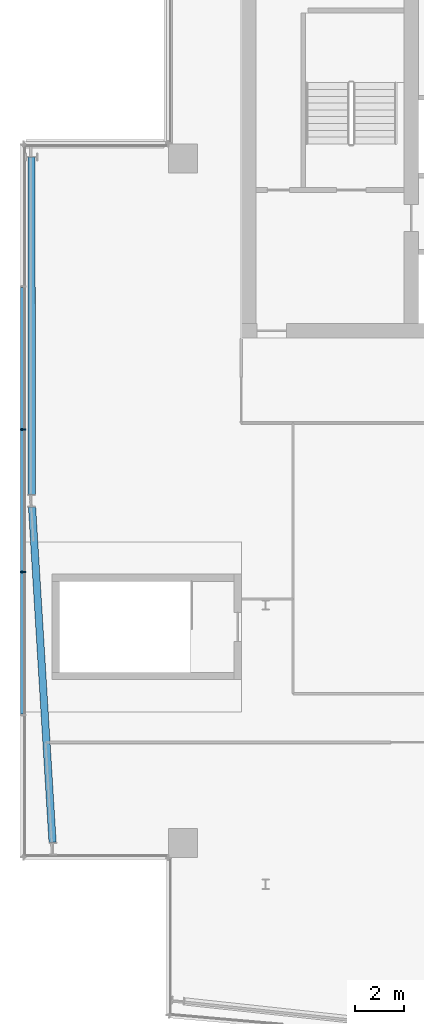
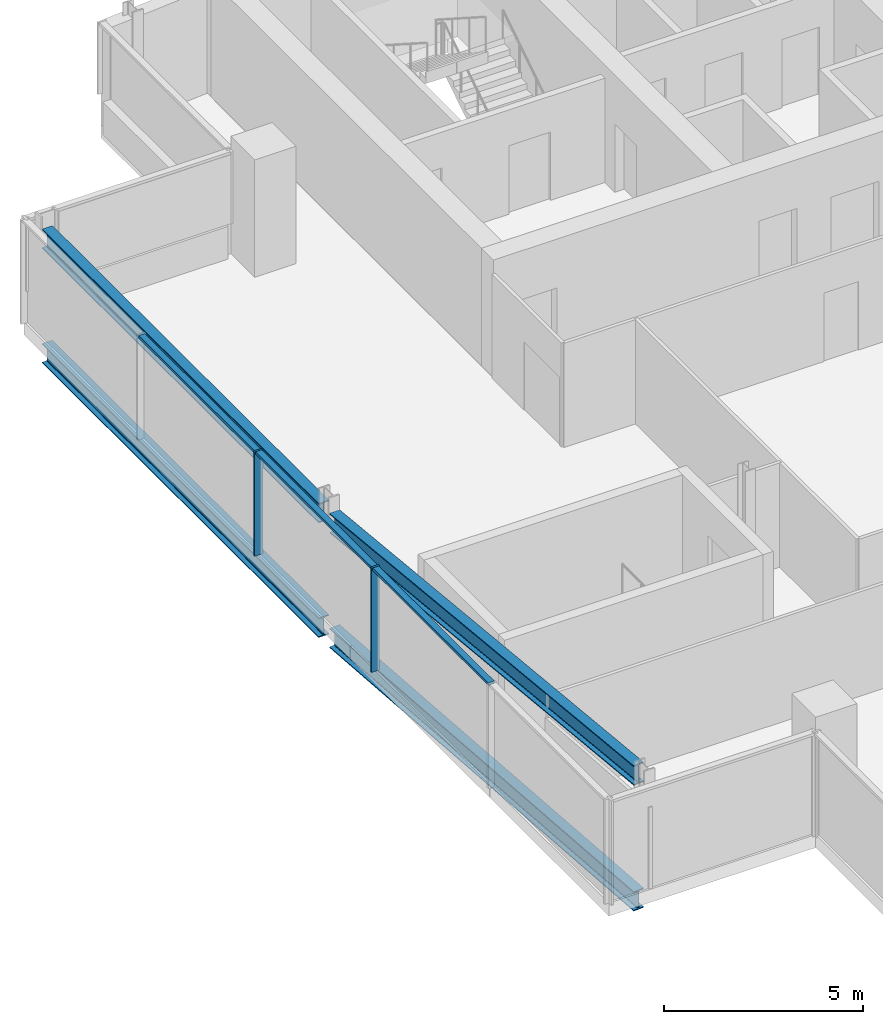
# One storey, part 6 of 19: 5 members, 4 beams, 1 element without a shape of its own.
"""IFC4 building model written with IfcOpenShell, lengths in metres."""

from ifc_helpers import new_model, si_unit, direction, frame, origin, origin_2d, place, context, subcontext, project, spatial, rectangle, i_section, extrude, material, material_profile, profile_set, type_object, element, aggregate, save


model = new_model("IFC4")

# Units and contexts
model_context = context("Model", 3, precision=1e-05, world=origin(), true_north=direction((0.0, 1.0)))
body_context = subcontext(model_context, "Body", "Model", "MODEL_VIEW")
ifc_project = project(units=[si_unit("LENGTHUNIT", "METRE"), si_unit("AREAUNIT", "SQUARE_METRE"), si_unit("VOLUMEUNIT", "CUBIC_METRE"), si_unit("PLANEANGLEUNIT", "RADIAN"), si_unit("MASSUNIT", "GRAM", prefix="KILO")], contexts=[model_context])

# Site, building, storey
site_placement = place(None, origin())
site = spatial("IfcSite", under=ifc_project, at=site_placement, CompositionType="ELEMENT")
building_placement = place(site_placement, origin())
building = spatial("IfcBuilding", under=site, at=building_placement, Name="Wharfspan Tower", CompositionType="ELEMENT")
storey_placement = place(building_placement, frame((0.0, 0.0, 257.5)))
storey = spatial("IfcBuildingStorey", under=building, at=storey_placement, Name="L65", CompositionType="ELEMENT", Elevation=257.5)

# Beams
ifc_material_1 = material(Name="Steel S355J2", Category="steel")
ifc_material_profile_1 = material_profile(ifc_material_1, i_section(OverallWidth=0.300049, OverallDepth=0.600098, WebThickness=0.015381, FlangeThickness=0.030029, FilletRadius=0.0271, at=origin_2d()))
ifc_profile_set_1 = profile_set([ifc_material_profile_1], Name="Steel S355J2")
beam_type_1 = type_object("IfcBeamType", Name="Edge beam HEB 600", PredefinedType="SPANDREL", material=ifc_profile_set_1)
beam_1_placement = place(storey_placement, frame((14.356934, 41.453125, -0.699951), z_axis=(0.000211, -1.0, 0.0), x_axis=(1.0, 0.000211, 0.0)))
element("IfcBeam", 1, at=beam_1_placement, inside=storey, type_object=beam_type_1, Name="Edge beam W L65 PNRW-H.1 to PW.1", PredefinedType="SPANDREL", context=body_context, shape_type="SweptSolid", body=[
    extrude(i_section(OverallWidth=0.300049, OverallDepth=0.600098, WebThickness=0.015381, FlangeThickness=0.030029, FilletRadius=0.0271, at=origin_2d()), origin(), (0.0, 0.0, 1.0), 13.89502),
])
beam_2_placement = place(storey_placement, frame((14.375732, 27.041992, -0.699951), z_axis=(0.061113, -0.998131, 0.0), x_axis=(0.998131, 0.061113, 0.0)))
element("IfcBeam", 2, at=beam_2_placement, inside=storey, type_object=beam_type_1, Name="Edge beam L65 PW.1 to PW.2", PredefinedType="SPANDREL", context=body_context, shape_type="SweptSolid", body=[
    extrude(i_section(OverallWidth=0.300049, OverallDepth=0.600098, WebThickness=0.015381, FlangeThickness=0.030029, FilletRadius=0.0271, at=origin_2d()), origin(), (0.0, 0.0, 1.0), 13.846436),
])

# Curtain wall, members
ifc_material_2 = material(Name="Aluminium 6063-T6", Category="aluminium")
curtain_wall_type = type_object("IfcCurtainWallType", Name="CURTAIN WALL PROW AND END", PredefinedType="NOTDEFINED", material=ifc_material_2)
curtain_wall_placement = place(storey_placement, origin())
curtain_wall = element("IfcCurtainWall", 3, at=curtain_wall_placement, inside=storey, type_object=curtain_wall_type, Name="Curtain wall W", PredefinedType="NOTDEFINED")
ifc_material_profile_2 = material_profile(ifc_material_2, rectangle(XDim=0.23999, YDim=0.060059, at=origin_2d()))
ifc_profile_set_2 = profile_set([ifc_material_profile_2], Name="Aluminium 6063-T6")
member_type_1 = type_object("IfcMemberType", Name="MULLION PROW AND END 60x240", PredefinedType="MULLION", material=ifc_profile_set_2)
member_1_placement = place(storey_placement, frame((14.0, 30.23999, 0.0), z_axis=(0.0, 0.0, 1.0), x_axis=(1.0, 0.0, 0.0)))
member_1 = element("IfcMember", 4, at=member_1_placement, type_object=member_type_1, Name="Curtain wall W mullion 3", PredefinedType="MULLION", context=body_context, shape_type="SweptSolid", body=[
    extrude(rectangle(XDim=0.23999, YDim=0.060059, at=origin_2d()), origin(), (0.0, 0.0, 1.0), 3.199951),
])
member_2_placement = place(storey_placement, frame((14.0, 24.360107, 0.0), z_axis=(0.0, 0.0, 1.0), x_axis=(1.0, 0.0, 0.0)))
member_2 = element("IfcMember", 5, at=member_2_placement, type_object=member_type_1, Name="Curtain wall W mullion 4", PredefinedType="MULLION", context=body_context, shape_type="SweptSolid", body=[
    extrude(rectangle(XDim=0.23999, YDim=0.060059, at=origin_2d()), origin(), (0.0, 0.0, 1.0), 3.199951),
])

# Beams
ifc_material_profile_3 = material_profile(ifc_material_1, i_section(OverallWidth=0.300049, OverallDepth=0.600098, WebThickness=0.015381, FlangeThickness=0.030029, FilletRadius=0.0271, at=origin_2d()))
ifc_profile_set_3 = profile_set([ifc_material_profile_3], Name="Steel S355J2")
beam_type_2 = type_object("IfcBeamType", Name="Roof girder HEB 600", PredefinedType="BEAM", material=ifc_profile_set_3)
beam_3_placement = place(storey_placement, frame((14.357178, 41.453125, 2.814453), z_axis=(0.000193, -1.0, 8.8e-05), x_axis=(1.0, 0.000193, 0.0)))
element("IfcBeam", 6, at=beam_3_placement, inside=storey, type_object=beam_type_2, Name="Roof west girder W1", PredefinedType="BEAM", context=body_context, shape_type="SweptSolid", body=[
    extrude(i_section(OverallWidth=0.300049, OverallDepth=0.600098, WebThickness=0.015381, FlangeThickness=0.030029, FilletRadius=0.0271, at=origin_2d()), origin(), (0.0, 0.0, 1.0), 13.89502),
])
beam_4_placement = place(storey_placement, frame((14.375732, 27.041992, 2.822021), z_axis=(0.061094, -0.997827, 0.024677), x_axis=(0.998135, 0.061113, 4e-06)))
element("IfcBeam", 7, at=beam_4_placement, inside=storey, type_object=beam_type_2, Name="Roof west girder W2", PredefinedType="BEAM", context=body_context, shape_type="SweptSolid", body=[
    extrude(i_section(OverallWidth=0.300049, OverallDepth=0.600098, WebThickness=0.015381, FlangeThickness=0.030029, FilletRadius=0.0271, at=origin_2d()), origin(), (0.0, 0.0, 1.0), 13.850586),
])

# Member
ifc_material_profile_4 = material_profile(ifc_material_2, rectangle(XDim=0.179932, YDim=0.080078, at=origin_2d()))
ifc_profile_set_4 = profile_set([ifc_material_profile_4], Name="Aluminium 6063-T6")
member_type_2 = type_object("IfcMemberType", Name="TRANSOM PROW AND END 80x180", PredefinedType="USERDEFINED", material=ifc_profile_set_4)
member_3_placement = place(storey_placement, frame((14.0, 36.090088, 3.159912), z_axis=(0.0, -1.0, 0.0), x_axis=(1.0, 0.0, 0.0)))
member_3 = element("IfcMember", 8, at=member_3_placement, type_object=member_type_2, Name="Curtain wall W transom 2", ObjectType="TRANSOM", PredefinedType="USERDEFINED", context=body_context, shape_type="SweptSolid", body=[
    extrude(rectangle(XDim=0.179932, YDim=0.080078, at=origin_2d()), origin(), (0.0, 0.0, 1.0), 5.820068),
])

member_4_placement = place(storey_placement, frame((14.0, 30.209961, 3.159912), z_axis=(0.0, -1.0, 0.0), x_axis=(1.0, 0.0, 0.0)))
member_4 = element("IfcMember", 9, at=member_4_placement, type_object=member_type_2, Name="Curtain wall W transom 3", ObjectType="TRANSOM", PredefinedType="USERDEFINED", context=body_context, shape_type="SweptSolid", body=[
    extrude(rectangle(XDim=0.179932, YDim=0.080078, at=origin_2d()), origin(), (0.0, 0.0, 1.0), 5.820068),
])

member_5_placement = place(storey_placement, frame((14.0, 24.330078, 3.159912), z_axis=(0.0, -1.0, 0.0), x_axis=(1.0, 0.0, 0.0)))
member_5 = element("IfcMember", 10, at=member_5_placement, type_object=member_type_2, Name="Curtain wall W transom 4", ObjectType="TRANSOM", PredefinedType="USERDEFINED", context=body_context, shape_type="SweptSolid", body=[
    extrude(rectangle(XDim=0.179932, YDim=0.080078, at=origin_2d()), origin(), (0.0, 0.0, 1.0), 5.820068),
])

aggregate(curtain_wall, [member_1, member_2, member_3, member_4, member_5])

save(model, "model.ifc")
